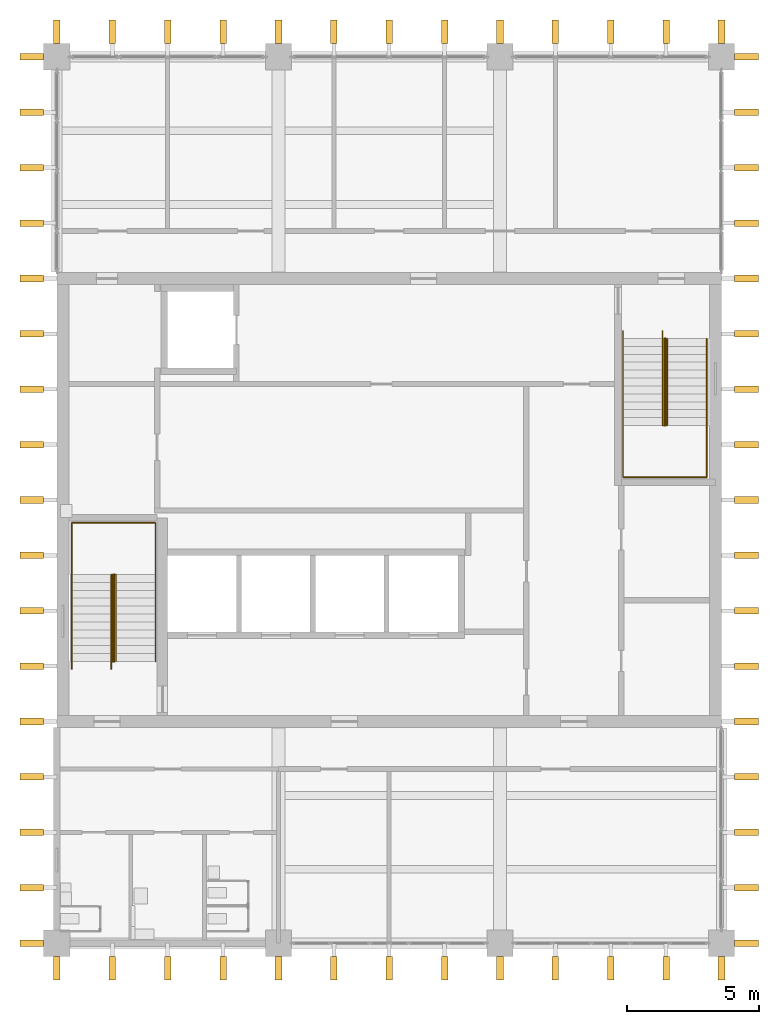
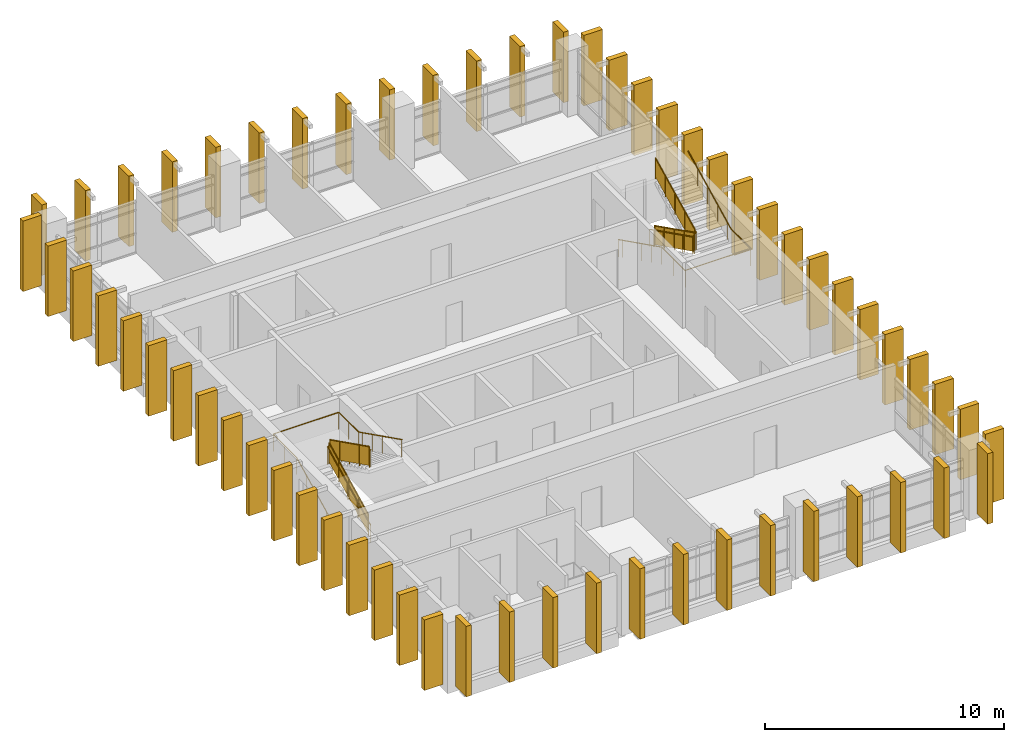
# One storey, part 10 of 11: 60 shading devices, 8 railings.
"""IFC4 building model written with IfcOpenShell, lengths in metres."""

from ifc_helpers import new_model, si_unit, direction, frame, origin, origin_2d, place, context, subcontext, project, spatial, polyline, rectangle, circle, outline, extrude, material, material_profile, profile_set, type_object, element, save


model = new_model("IFC4")

# Units and contexts
model_context = context("Model", 3, precision=1e-05, world=origin(), true_north=direction((0.0, 1.0)))
body_context = subcontext(model_context, "Body", "Model", "MODEL_VIEW")
ifc_project = project(units=[si_unit("LENGTHUNIT", "METRE"), si_unit("AREAUNIT", "SQUARE_METRE"), si_unit("VOLUMEUNIT", "CUBIC_METRE"), si_unit("PLANEANGLEUNIT", "RADIAN"), si_unit("MASSUNIT", "GRAM", prefix="KILO")], contexts=[model_context])

# Site, building, storey
site_placement = place(None, origin())
site = spatial("IfcSite", under=ifc_project, at=site_placement, CompositionType="ELEMENT")
building_placement = place(site_placement, origin())
building = spatial("IfcBuilding", under=site, at=building_placement, Name="Rulbaag Community and Learning Centre", CompositionType="ELEMENT")
storey_placement = place(building_placement, frame((0.0, 0.0, 18.0)))
storey = spatial("IfcBuildingStorey", under=building, at=storey_placement, Name="L04", CompositionType="ELEMENT", Elevation=18.0)

# Shading devices
ifc_material_1 = material(Name="Concrete M40", Category="concrete")
ifc_material_profile = material_profile(ifc_material_1, rectangle(XDim=0.25, YDim=0.89990234375, at=origin_2d()), Name="PC 250x900")
ifc_profile_set = profile_set([ifc_material_profile], Name="Concrete M40")
shading_device_type = type_object("IfcShadingDeviceType", Name="FIN-H", PredefinedType="JALOUSIE", material=ifc_profile_set)
for number, where, z_axis, x_axis, name in (
    (1, (142.800048828125, 83.050048828125, 0.0), (0.0, 0.0, 1.0), (1.0, 0.0, 0.0), "Precast fin"),
    (2, (144.89990234375, 83.050048828125, 0.0), (0.0, 0.0, 1.0), (1.0, 0.0, 0.0), "Precast fin"),
    (3, (147.0, 83.050048828125, 0.0), (0.0, 0.0, 1.0), (1.0, 0.0, 0.0), "Precast fin"),
    (4, (149.10009765625, 83.050048828125, 0.0), (0.0, 0.0, 1.0), (1.0, 0.0, 0.0), "Precast fin"),
    (5, (151.199951171875, 83.050048828125, 0.0), (0.0, 0.0, 1.0), (1.0, 0.0, 0.0), "Precast fin"),
    (6, (153.300048828125, 83.050048828125, 0.0), (0.0, 0.0, 1.0), (1.0, 0.0, 0.0), "Precast fin"),
    (7, (155.39990234375, 83.050048828125, 0.0), (0.0, 0.0, 1.0), (1.0, 0.0, 0.0), "Precast fin"),
    (8, (157.5, 83.050048828125, 0.0), (0.0, 0.0, 1.0), (1.0, 0.0, 0.0), "Precast fin"),
    (9, (159.60009765625, 83.050048828125, 0.0), (0.0, 0.0, 1.0), (1.0, 0.0, 0.0), "Precast fin"),
    (10, (161.699951171875, 83.050048828125, 0.0), (0.0, 0.0, 1.0), (1.0, 0.0, 0.0), "Precast fin"),
    (11, (163.800048828125, 83.050048828125, 0.0), (0.0, 0.0, 1.0), (1.0, 0.0, 0.0), "Precast fin"),
    (12, (165.89990234375, 83.050048828125, 0.0), (0.0, 0.0, 1.0), (1.0, 0.0, 0.0), "Precast fin"),
    (13, (168.0, 83.050048828125, 0.0), (0.0, 0.0, 1.0), (1.0, 0.0, 0.0), "Precast fin"),
    (14, (142.800048828125, 118.550048828125, 0.0), (0.0, 0.0, 1.0), (1.0, 0.0, 0.0), "Precast fin"),
    (15, (144.89990234375, 118.550048828125, 0.0), (0.0, 0.0, 1.0), (1.0, 0.0, 0.0), "Precast fin"),
    (16, (147.0, 118.550048828125, 0.0), (0.0, 0.0, 1.0), (1.0, 0.0, 0.0), "Precast fin"),
    (17, (149.10009765625, 118.550048828125, 0.0), (0.0, 0.0, 1.0), (1.0, 0.0, 0.0), "Precast fin"),
    (18, (151.199951171875, 118.550048828125, 0.0), (0.0, 0.0, 1.0), (1.0, 0.0, 0.0), "Precast fin"),
    (19, (153.300048828125, 118.550048828125, 0.0), (0.0, 0.0, 1.0), (1.0, 0.0, 0.0), "Precast fin"),
    (20, (155.39990234375, 118.550048828125, 0.0), (0.0, 0.0, 1.0), (1.0, 0.0, 0.0), "Precast fin"),
    (21, (157.5, 118.550048828125, 0.0), (0.0, 0.0, 1.0), (1.0, 0.0, 0.0), "Precast fin"),
    (22, (159.60009765625, 118.550048828125, 0.0), (0.0, 0.0, 1.0), (1.0, 0.0, 0.0), "Precast fin"),
    (23, (161.699951171875, 118.550048828125, 0.0), (0.0, 0.0, 1.0), (1.0, 0.0, 0.0), "Precast fin"),
    (24, (163.800048828125, 118.550048828125, 0.0), (0.0, 0.0, 1.0), (1.0, 0.0, 0.0), "Precast fin"),
    (25, (165.89990234375, 118.550048828125, 0.0), (0.0, 0.0, 1.0), (1.0, 0.0, 0.0), "Precast fin"),
    (26, (168.0, 118.550048828125, 0.0), (0.0, 0.0, 1.0), (1.0, 0.0, 0.0), "Precast fin"),
    (27, (141.85009765625, 84.0, 0.0), (0.0, 0.0, 1.0), (0.0, 1.0, 0.0), "Precast fin"),
    (28, (141.85009765625, 86.10009765625, 0.0), (0.0, 0.0, 1.0), (0.0, 1.0, 0.0), "Precast fin"),
    (29, (141.85009765625, 88.199951171875, 0.0), (0.0, 0.0, 1.0), (0.0, 1.0, 0.0), "Precast fin"),
    (30, (141.85009765625, 90.300048828125, 0.0), (0.0, 0.0, 1.0), (0.0, 1.0, 0.0), "Precast fin"),
    (31, (141.85009765625, 92.39990234375, 0.0), (0.0, 0.0, 1.0), (0.0, 1.0, 0.0), "Precast fin"),
    (32, (141.85009765625, 94.5, 0.0), (0.0, 0.0, 1.0), (0.0, 1.0, 0.0), "Precast fin"),
    (33, (141.85009765625, 96.60009765625, 0.0), (0.0, 0.0, 1.0), (0.0, 1.0, 0.0), "Precast fin"),
    (34, (141.85009765625, 98.699951171875, 0.0), (0.0, 0.0, 1.0), (0.0, 1.0, 0.0), "Precast fin"),
    (35, (141.85009765625, 100.800048828125, 0.0), (0.0, 0.0, 1.0), (0.0, 1.0, 0.0), "Precast fin"),
    (36, (141.85009765625, 102.89990234375, 0.0), (0.0, 0.0, 1.0), (0.0, 1.0, 0.0), "Precast fin"),
    (37, (141.85009765625, 105.0, 0.0), (0.0, 0.0, 1.0), (0.0, 1.0, 0.0), "Precast fin"),
    (38, (141.85009765625, 107.10009765625, 0.0), (0.0, 0.0, 1.0), (0.0, 1.0, 0.0), "Precast fin"),
    (39, (141.85009765625, 109.199951171875, 0.0), (0.0, 0.0, 1.0), (0.0, 1.0, 0.0), "Precast fin"),
    (40, (141.85009765625, 111.300048828125, 0.0), (0.0, 0.0, 1.0), (0.0, 1.0, 0.0), "Precast fin"),
    (41, (141.85009765625, 113.39990234375, 0.0), (0.0, 0.0, 1.0), (0.0, 1.0, 0.0), "Precast fin"),
    (42, (141.85009765625, 115.5, 0.0), (0.0, 0.0, 1.0), (0.0, 1.0, 0.0), "Precast fin"),
    (43, (141.85009765625, 117.60009765625, 0.0), (0.0, 0.0, 1.0), (0.0, 1.0, 0.0), "Precast fin"),
    (44, (168.949951171875, 84.0, 0.0), (0.0, 0.0, 1.0), (0.0, 1.0, 0.0), "Precast fin"),
    (45, (168.949951171875, 86.10009765625, 0.0), (0.0, 0.0, 1.0), (0.0, 1.0, 0.0), "Precast fin"),
    (46, (168.949951171875, 88.199951171875, 0.0), (0.0, 0.0, 1.0), (0.0, 1.0, 0.0), "Precast fin"),
    (47, (168.949951171875, 90.300048828125, 0.0), (0.0, 0.0, 1.0), (0.0, 1.0, 0.0), "Precast fin"),
    (48, (168.949951171875, 92.39990234375, 0.0), (0.0, 0.0, 1.0), (0.0, 1.0, 0.0), "Precast fin"),
    (49, (168.949951171875, 94.5, 0.0), (0.0, 0.0, 1.0), (0.0, 1.0, 0.0), "Precast fin"),
    (50, (168.949951171875, 96.60009765625, 0.0), (0.0, 0.0, 1.0), (0.0, 1.0, 0.0), "Precast fin"),
    (51, (168.949951171875, 98.699951171875, 0.0), (0.0, 0.0, 1.0), (0.0, 1.0, 0.0), "Precast fin"),
    (52, (168.949951171875, 100.800048828125, 0.0), (0.0, 0.0, 1.0), (0.0, 1.0, 0.0), "Precast fin"),
    (53, (168.949951171875, 102.89990234375, 0.0), (0.0, 0.0, 1.0), (0.0, 1.0, 0.0), "Precast fin"),
    (54, (168.949951171875, 105.0, 0.0), (0.0, 0.0, 1.0), (0.0, 1.0, 0.0), "Precast fin"),
    (55, (168.949951171875, 107.10009765625, 0.0), (0.0, 0.0, 1.0), (0.0, 1.0, 0.0), "Precast fin"),
    (56, (168.949951171875, 109.199951171875, 0.0), (0.0, 0.0, 1.0), (0.0, 1.0, 0.0), "Precast fin"),
    (57, (168.949951171875, 111.300048828125, 0.0), (0.0, 0.0, 1.0), (0.0, 1.0, 0.0), "Precast fin"),
    (58, (168.949951171875, 113.39990234375, 0.0), (0.0, 0.0, 1.0), (0.0, 1.0, 0.0), "Precast fin"),
    (59, (168.949951171875, 115.5, 0.0), (0.0, 0.0, 1.0), (0.0, 1.0, 0.0), "Precast fin"),
    (60, (168.949951171875, 117.60009765625, 0.0), (0.0, 0.0, 1.0), (0.0, 1.0, 0.0), "Precast fin"),
):
    element("IfcShadingDevice", number, at=place(storey_placement, frame(where, z_axis=z_axis, x_axis=x_axis)), inside=storey, type_object=shading_device_type, Name=name, PredefinedType="JALOUSIE", context=body_context, shape_type="SweptSolid", body=[
        extrude(rectangle(XDim=0.25, YDim=0.89990234375, at=origin_2d()), origin(), (0.0, 0.0, 1.0), 3.60009765625),
    ])

# Railings
ifc_material_2 = material(Name="Galvanised mild steel", Category="steel")
railing_type_1 = type_object("IfcRailingType", Name="GR-1100 GUARD 1100", PredefinedType="GUARDRAIL", material=ifc_material_2)
railing_1_placement = place(storey_placement, frame((144.929931640625, 94.675048828125, 0.14990234375)))
element("IfcRailing", 61, at=railing_1_placement, inside=storey, type_object=railing_type_1, Name="Guard ST1 L04 G", PredefinedType="GUARDRAIL", context=body_context, shape_type="SweptSolid", body=[
    extrude(circle(Radius=0.02490234375, at=origin_2d()), frame((0.0, 0.0, 1.0751953125), z_axis=(0.0, 0.894413956696, 0.447240063129), x_axis=(-1.0, 0.0, 0.0)), (0.0, 0.0, 1.0), 3.689697265625),
    extrude(circle(Radius=0.02001953125, at=origin_2d()), origin(), (0.0, 0.0, 1.0), 1.050048828125),
    extrude(circle(Radius=0.02001953125, at=origin_2d()), frame((0.0, 0.824951171875, 0.41259765625)), (0.0, 0.0, 1.0), 1.050048828125),
    extrude(circle(Radius=0.02001953125, at=origin_2d()), frame((0.0, 1.64990234375, 0.8251953125)), (0.0, 0.0, 1.0), 1.050048828125),
    extrude(circle(Radius=0.02001953125, at=origin_2d()), frame((0.0, 2.47509765625, 1.237548828125)), (0.0, 0.0, 1.0), 1.050048828125),
    extrude(circle(Radius=0.02001953125, at=origin_2d()), frame((0.0, 3.300048828125, 1.650146484375)), (0.0, 0.0, 1.0), 1.050048828125),
    extrude(outline(polyline([(0.0, 0.0), (3.300048828125, 1.650146484375), (3.300048828125, 2.60009765625), (0.0, 0.949951171875), (0.0, 0.0)])), frame((-0.0048828125, 0.0, 0.10009765625), z_axis=(1.0, 0.0, 0.0), x_axis=(0.0, 1.0, 0.0)), (0.0, 0.0, 1.0), 0.010009765625),
])
for number, where, name in (
    (62, (144.969970703125, 97.97509765625, 1.949951171875), "Guard ST1 L04 G2"),
    (63, (165.830078125, 106.925048828125, 0.14990234375), "Guard ST2 L04 G"),
):
    element("IfcRailing", number, at=place(storey_placement, frame(where)), inside=storey, type_object=railing_type_1, Name=name, PredefinedType="GUARDRAIL", context=body_context, shape_type="SweptSolid", body=[
        extrude(circle(Radius=0.02490234375, at=origin_2d()), frame((0.0, 0.0, 1.0751953125), z_axis=(0.0, -0.894413956696, 0.447240063129), x_axis=(1.0, 0.0, 0.0)), (0.0, 0.0, 1.0), 3.689697265625),
        extrude(circle(Radius=0.02001953125, at=origin_2d()), origin(), (0.0, 0.0, 1.0), 1.050048828125),
        extrude(circle(Radius=0.02001953125, at=origin_2d()), frame((0.0, -0.824951171875, 0.41259765625)), (0.0, 0.0, 1.0), 1.050048828125),
        extrude(circle(Radius=0.02001953125, at=origin_2d()), frame((0.0, -1.64990234375, 0.8251953125)), (0.0, 0.0, 1.0), 1.050048828125),
        extrude(circle(Radius=0.02001953125, at=origin_2d()), frame((0.0, -2.47509765625, 1.237548828125)), (0.0, 0.0, 1.0), 1.050048828125),
        extrude(circle(Radius=0.02001953125, at=origin_2d()), frame((0.0, -3.300048828125, 1.650146484375)), (0.0, 0.0, 1.0), 1.050048828125),
        extrude(outline(polyline([(0.0, 0.0), (3.300048828125, 1.650146484375), (3.300048828125, 2.60009765625), (0.0, 0.949951171875), (0.0, 0.0)])), frame((0.0048828125, 0.0, 0.10009765625), z_axis=(-1.0, 0.0, 0.0), x_axis=(0.0, -1.0, 0.0)), (0.0, 0.0, 1.0), 0.010009765625),
    ])
railing_2_placement = place(storey_placement, frame((165.8701171875, 103.625, 1.949951171875)))
element("IfcRailing", 64, at=railing_2_placement, inside=storey, type_object=railing_type_1, Name="Guard ST2 L04 G2", PredefinedType="GUARDRAIL", context=body_context, shape_type="SweptSolid", body=[
    extrude(circle(Radius=0.02490234375, at=origin_2d()), frame((0.0, 0.0, 1.0751953125), z_axis=(0.0, 0.894413956696, 0.447240063129), x_axis=(-1.0, 0.0, 0.0)), (0.0, 0.0, 1.0), 3.689697265625),
    extrude(circle(Radius=0.02001953125, at=origin_2d()), origin(), (0.0, 0.0, 1.0), 1.050048828125),
    extrude(circle(Radius=0.02001953125, at=origin_2d()), frame((0.0, 0.824951171875, 0.41259765625)), (0.0, 0.0, 1.0), 1.050048828125),
    extrude(circle(Radius=0.02001953125, at=origin_2d()), frame((0.0, 1.64990234375, 0.8251953125)), (0.0, 0.0, 1.0), 1.050048828125),
    extrude(circle(Radius=0.02001953125, at=origin_2d()), frame((0.0, 2.47509765625, 1.237548828125)), (0.0, 0.0, 1.0), 1.050048828125),
    extrude(circle(Radius=0.02001953125, at=origin_2d()), frame((0.0, 3.300048828125, 1.650146484375)), (0.0, 0.0, 1.0), 1.050048828125),
    extrude(outline(polyline([(0.0, 0.0), (3.300048828125, 1.650146484375), (3.300048828125, 2.60009765625), (0.0, 0.949951171875), (0.0, 0.0)])), frame((-0.0048828125, 0.0, 0.10009765625), z_axis=(1.0, 0.0, 0.0), x_axis=(0.0, 1.0, 0.0)), (0.0, 0.0, 1.0), 0.010009765625),
])
ifc_material_3 = material(Name="Stainless steel grade 316", Category="steel")
railing_type_2 = type_object("IfcRailingType", Name="HR-900 HANDRAIL 900", PredefinedType="HANDRAIL", material=ifc_material_3)
railing_3_placement = place(storey_placement, frame((143.360107421875, 94.375, 0.0)))
element("IfcRailing", 65, at=railing_3_placement, inside=storey, type_object=railing_type_2, Name="Handrail ST1 L04 O", PredefinedType="HANDRAIL", context=body_context, shape_type="SweptSolid", body=[
    extrude(circle(Radius=0.024169921875, at=origin_2d()), frame((0.0, 0.0, 0.875732421875), z_axis=(0.0, 0.894572720946, 0.446922417137), x_axis=(-1.0, 0.0, 0.0)), (0.0, 0.0, 1.0), 0.33544921875),
    extrude(circle(Radius=0.024169921875, at=origin_2d()), frame((0.0, 0.300048828125, 1.025634765625), z_axis=(0.0, 0.894413956696, 0.447240063129), x_axis=(-1.0, 0.0, 0.0)), (0.0, 0.0, 1.0), 3.689697265625),
    extrude(circle(Radius=0.024169921875, at=origin_2d()), frame((0.0, 3.60009765625, 2.67578125), z_axis=(0.0, 1.0, 0.0), x_axis=(-1.0, 0.0, 0.0)), (0.0, 0.0, 1.0), 1.96484375),
    extrude(circle(Radius=0.024169921875, at=origin_2d()), frame((0.0, 5.56494140625, 2.67578125), z_axis=(1.0, 0.0, 0.0), x_axis=(0.0, 1.0, 0.0)), (0.0, 0.0, 1.0), 3.179931640625),
    extrude(circle(Radius=0.024169921875, at=origin_2d()), frame((3.179931640625, 5.56494140625, 2.67578125), z_axis=(0.0, -1.0, 0.0), x_axis=(1.0, 0.0, 0.0)), (0.0, 0.0, 1.0), 1.6650390625),
    extrude(circle(Radius=0.024169921875, at=origin_2d()), frame((3.179931640625, 3.89990234375, 2.67578125), z_axis=(0.0, -0.894427191, 0.4472135955), x_axis=(1.0, 0.0, 0.0)), (0.0, 0.0, 1.0), 0.335205078125),
    extrude(circle(Radius=0.024169921875, at=origin_2d()), frame((3.179931640625, 3.60009765625, 2.82568359375), z_axis=(0.0, -0.894413956696, 0.447240063129), x_axis=(1.0, 0.0, 0.0)), (0.0, 0.0, 1.0), 3.689697265625),
    extrude(circle(Radius=0.008056640625, at=origin_2d()), origin(), (0.0, 0.0, 1.0), 0.8515625),
    extrude(circle(Radius=0.008056640625, at=origin_2d()), frame((0.0, 0.300048828125, 0.14990234375)), (0.0, 0.0, 1.0), 0.8515625),
    extrude(circle(Radius=0.008056640625, at=origin_2d()), frame((0.0, 1.125, 0.5625)), (0.0, 0.0, 1.0), 0.8515625),
    extrude(circle(Radius=0.008056640625, at=origin_2d()), frame((0.0, 1.9501953125, 0.97509765625)), (0.0, 0.0, 1.0), 0.8515625),
    extrude(circle(Radius=0.008056640625, at=origin_2d()), frame((0.0, 2.775146484375, 1.387451171875)), (0.0, 0.0, 1.0), 0.8515625),
    extrude(circle(Radius=0.008056640625, at=origin_2d()), frame((0.0, 3.60009765625, 1.800048828125)), (0.0, 0.0, 1.0), 0.8515625),
    extrude(circle(Radius=0.008056640625, at=origin_2d()), frame((0.0, 4.58251953125, 1.800048828125)), (0.0, 0.0, 1.0), 0.8515625),
    extrude(circle(Radius=0.008056640625, at=origin_2d()), frame((0.0, 5.56494140625, 1.800048828125)), (0.0, 0.0, 1.0), 0.8515625),
    extrude(circle(Radius=0.008056640625, at=origin_2d()), frame((1.06005859375, 5.56494140625, 1.800048828125)), (0.0, 0.0, 1.0), 0.8515625),
    extrude(circle(Radius=0.008056640625, at=origin_2d()), frame((2.119873046875, 5.56494140625, 1.800048828125)), (0.0, 0.0, 1.0), 0.8515625),
    extrude(circle(Radius=0.008056640625, at=origin_2d()), frame((3.179931640625, 5.56494140625, 1.800048828125)), (0.0, 0.0, 1.0), 0.8515625),
    extrude(circle(Radius=0.008056640625, at=origin_2d()), frame((3.179931640625, 4.732421875, 1.800048828125)), (0.0, 0.0, 1.0), 0.8515625),
    extrude(circle(Radius=0.008056640625, at=origin_2d()), frame((3.179931640625, 3.89990234375, 1.800048828125)), (0.0, 0.0, 1.0), 0.8515625),
    extrude(circle(Radius=0.008056640625, at=origin_2d()), frame((3.179931640625, 3.60009765625, 1.949951171875)), (0.0, 0.0, 1.0), 0.8515625),
    extrude(circle(Radius=0.008056640625, at=origin_2d()), frame((3.179931640625, 2.775146484375, 2.362548828125)), (0.0, 0.0, 1.0), 0.8515625),
    extrude(circle(Radius=0.008056640625, at=origin_2d()), frame((3.179931640625, 1.9501953125, 2.77490234375)), (0.0, 0.0, 1.0), 0.8515625),
    extrude(circle(Radius=0.008056640625, at=origin_2d()), frame((3.179931640625, 1.125, 3.1875)), (0.0, 0.0, 1.0), 0.8515625),
    extrude(circle(Radius=0.008056640625, at=origin_2d()), frame((3.179931640625, 0.300048828125, 3.60009765625)), (0.0, 0.0, 1.0), 0.8515625),
])
railing_4_placement = place(storey_placement, frame((144.860107421875, 94.375, 0.0)))
element("IfcRailing", 66, at=railing_4_placement, inside=storey, type_object=railing_type_2, Name="Handrail ST1 L04 I", PredefinedType="HANDRAIL", context=body_context, shape_type="SweptSolid", body=[
    extrude(circle(Radius=0.024169921875, at=origin_2d()), frame((0.0, 0.0, 0.875732421875), z_axis=(0.0, 0.894572720946, 0.446922417137), x_axis=(-1.0, 0.0, 0.0)), (0.0, 0.0, 1.0), 0.33544921875),
    extrude(circle(Radius=0.024169921875, at=origin_2d()), frame((0.0, 0.300048828125, 1.025634765625), z_axis=(0.0, 0.894413956696, 0.447240063129), x_axis=(-1.0, 0.0, 0.0)), (0.0, 0.0, 1.0), 3.689697265625),
    extrude(circle(Radius=0.024169921875, at=origin_2d()), frame((0.0, 3.60009765625, 2.67578125), z_axis=(0.768306721819, 0.0, 0.640081855084), x_axis=(0.0, 1.0, 0.0)), (0.0, 0.0, 1.0), 0.234130859375),
    extrude(circle(Radius=0.024169921875, at=origin_2d()), frame((0.179931640625, 3.60009765625, 2.82568359375), z_axis=(0.0, -0.894413956696, 0.447240063129), x_axis=(1.0, 0.0, 0.0)), (0.0, 0.0, 1.0), 3.689697265625),
    extrude(circle(Radius=0.008056640625, at=origin_2d()), origin(), (0.0, 0.0, 1.0), 0.8515625),
    extrude(circle(Radius=0.008056640625, at=origin_2d()), frame((0.0, 0.300048828125, 0.14990234375)), (0.0, 0.0, 1.0), 0.8515625),
    extrude(circle(Radius=0.008056640625, at=origin_2d()), frame((0.0, 1.125, 0.5625)), (0.0, 0.0, 1.0), 0.8515625),
    extrude(circle(Radius=0.008056640625, at=origin_2d()), frame((0.0, 1.9501953125, 0.97509765625)), (0.0, 0.0, 1.0), 0.8515625),
    extrude(circle(Radius=0.008056640625, at=origin_2d()), frame((0.0, 2.775146484375, 1.387451171875)), (0.0, 0.0, 1.0), 0.8515625),
    extrude(circle(Radius=0.008056640625, at=origin_2d()), frame((0.0, 3.60009765625, 1.800048828125)), (0.0, 0.0, 1.0), 0.8515625),
    extrude(circle(Radius=0.008056640625, at=origin_2d()), frame((0.179931640625, 3.60009765625, 1.949951171875)), (0.0, 0.0, 1.0), 0.8515625),
    extrude(circle(Radius=0.008056640625, at=origin_2d()), frame((0.179931640625, 2.775146484375, 2.362548828125)), (0.0, 0.0, 1.0), 0.8515625),
    extrude(circle(Radius=0.008056640625, at=origin_2d()), frame((0.179931640625, 1.9501953125, 2.77490234375)), (0.0, 0.0, 1.0), 0.8515625),
    extrude(circle(Radius=0.008056640625, at=origin_2d()), frame((0.179931640625, 1.125, 3.1875)), (0.0, 0.0, 1.0), 0.8515625),
    extrude(circle(Radius=0.008056640625, at=origin_2d()), frame((0.179931640625, 0.300048828125, 3.60009765625)), (0.0, 0.0, 1.0), 0.8515625),
])
railing_5_placement = place(storey_placement, frame((164.260009765625, 107.22509765625, 0.0)))
element("IfcRailing", 67, at=railing_5_placement, inside=storey, type_object=railing_type_2, Name="Handrail ST2 L04 O", PredefinedType="HANDRAIL", context=body_context, shape_type="SweptSolid", body=[
    extrude(circle(Radius=0.024169921875, at=origin_2d()), frame((0.0, 0.0, 0.875732421875), z_axis=(0.0, -0.894572720946, 0.446922417137), x_axis=(1.0, 0.0, 0.0)), (0.0, 0.0, 1.0), 0.33544921875),
    extrude(circle(Radius=0.024169921875, at=origin_2d()), frame((0.0, -0.300048828125, 1.025634765625), z_axis=(0.0, -0.894413956696, 0.447240063129), x_axis=(1.0, 0.0, 0.0)), (0.0, 0.0, 1.0), 3.689697265625),
    extrude(circle(Radius=0.024169921875, at=origin_2d()), frame((0.0, -3.60009765625, 2.67578125), z_axis=(0.0, -1.0, 0.0), x_axis=(1.0, 0.0, 0.0)), (0.0, 0.0, 1.0), 1.965087890625),
    extrude(circle(Radius=0.024169921875, at=origin_2d()), frame((0.0, -5.565185546875, 2.67578125), z_axis=(1.0, 0.0, 0.0), x_axis=(0.0, 1.0, 0.0)), (0.0, 0.0, 1.0), 3.179931640625),
    extrude(circle(Radius=0.024169921875, at=origin_2d()), frame((3.179931640625, -5.565185546875, 2.67578125), z_axis=(0.0, 1.0, 0.0), x_axis=(-1.0, 0.0, 0.0)), (0.0, 0.0, 1.0), 1.6650390625),
    extrude(circle(Radius=0.024169921875, at=origin_2d()), frame((3.179931640625, -3.900146484375, 2.67578125), z_axis=(0.0, 0.894572720946, 0.446922417137), x_axis=(-1.0, 0.0, 0.0)), (0.0, 0.0, 1.0), 0.33544921875),
    extrude(circle(Radius=0.024169921875, at=origin_2d()), frame((3.179931640625, -3.60009765625, 2.82568359375), z_axis=(0.0, 0.894413956696, 0.447240063129), x_axis=(-1.0, 0.0, 0.0)), (0.0, 0.0, 1.0), 3.689697265625),
    extrude(circle(Radius=0.008056640625, at=origin_2d()), origin(), (0.0, 0.0, 1.0), 0.8515625),
    extrude(circle(Radius=0.008056640625, at=origin_2d()), frame((0.0, -0.300048828125, 0.14990234375)), (0.0, 0.0, 1.0), 0.8515625),
    extrude(circle(Radius=0.008056640625, at=origin_2d()), frame((0.0, -1.125, 0.5625)), (0.0, 0.0, 1.0), 0.8515625),
    extrude(circle(Radius=0.008056640625, at=origin_2d()), frame((0.0, -1.9501953125, 0.97509765625)), (0.0, 0.0, 1.0), 0.8515625),
    extrude(circle(Radius=0.008056640625, at=origin_2d()), frame((0.0, -2.775146484375, 1.387451171875)), (0.0, 0.0, 1.0), 0.8515625),
    extrude(circle(Radius=0.008056640625, at=origin_2d()), frame((0.0, -3.60009765625, 1.800048828125)), (0.0, 0.0, 1.0), 0.8515625),
    extrude(circle(Radius=0.008056640625, at=origin_2d()), frame((0.0, -4.58251953125, 1.800048828125)), (0.0, 0.0, 1.0), 0.8515625),
    extrude(circle(Radius=0.008056640625, at=origin_2d()), frame((0.0, -5.565185546875, 1.800048828125)), (0.0, 0.0, 1.0), 0.8515625),
    extrude(circle(Radius=0.008056640625, at=origin_2d()), frame((1.06005859375, -5.565185546875, 1.800048828125)), (0.0, 0.0, 1.0), 0.8515625),
    extrude(circle(Radius=0.008056640625, at=origin_2d()), frame((2.119873046875, -5.565185546875, 1.800048828125)), (0.0, 0.0, 1.0), 0.8515625),
    extrude(circle(Radius=0.008056640625, at=origin_2d()), frame((3.179931640625, -5.565185546875, 1.800048828125)), (0.0, 0.0, 1.0), 0.8515625),
    extrude(circle(Radius=0.008056640625, at=origin_2d()), frame((3.179931640625, -4.732666015625, 1.800048828125)), (0.0, 0.0, 1.0), 0.8515625),
    extrude(circle(Radius=0.008056640625, at=origin_2d()), frame((3.179931640625, -3.900146484375, 1.800048828125)), (0.0, 0.0, 1.0), 0.8515625),
    extrude(circle(Radius=0.008056640625, at=origin_2d()), frame((3.179931640625, -3.60009765625, 1.949951171875)), (0.0, 0.0, 1.0), 0.8515625),
    extrude(circle(Radius=0.008056640625, at=origin_2d()), frame((3.179931640625, -2.775146484375, 2.362548828125)), (0.0, 0.0, 1.0), 0.8515625),
    extrude(circle(Radius=0.008056640625, at=origin_2d()), frame((3.179931640625, -1.9501953125, 2.77490234375)), (0.0, 0.0, 1.0), 0.8515625),
    extrude(circle(Radius=0.008056640625, at=origin_2d()), frame((3.179931640625, -1.125, 3.1875)), (0.0, 0.0, 1.0), 0.8515625),
    extrude(circle(Radius=0.008056640625, at=origin_2d()), frame((3.179931640625, -0.300048828125, 3.60009765625)), (0.0, 0.0, 1.0), 0.8515625),
])
railing_6_placement = place(storey_placement, frame((165.760009765625, 107.22509765625, 0.0)))
element("IfcRailing", 68, at=railing_6_placement, inside=storey, type_object=railing_type_2, Name="Handrail ST2 L04 I", PredefinedType="HANDRAIL", context=body_context, shape_type="SweptSolid", body=[
    extrude(circle(Radius=0.024169921875, at=origin_2d()), frame((0.0, 0.0, 0.875732421875), z_axis=(0.0, -0.894572720946, 0.446922417137), x_axis=(1.0, 0.0, 0.0)), (0.0, 0.0, 1.0), 0.33544921875),
    extrude(circle(Radius=0.024169921875, at=origin_2d()), frame((0.0, -0.300048828125, 1.025634765625), z_axis=(0.0, -0.894413956696, 0.447240063129), x_axis=(1.0, 0.0, 0.0)), (0.0, 0.0, 1.0), 3.689697265625),
    extrude(circle(Radius=0.024169921875, at=origin_2d()), frame((0.0, -3.60009765625, 2.67578125), z_axis=(0.768306721819, 0.0, 0.640081855084), x_axis=(0.0, 1.0, 0.0)), (0.0, 0.0, 1.0), 0.234130859375),
    extrude(circle(Radius=0.024169921875, at=origin_2d()), frame((0.179931640625, -3.60009765625, 2.82568359375), z_axis=(0.0, 0.894413956696, 0.447240063129), x_axis=(-1.0, 0.0, 0.0)), (0.0, 0.0, 1.0), 3.689697265625),
    extrude(circle(Radius=0.008056640625, at=origin_2d()), origin(), (0.0, 0.0, 1.0), 0.8515625),
    extrude(circle(Radius=0.008056640625, at=origin_2d()), frame((0.0, -0.300048828125, 0.14990234375)), (0.0, 0.0, 1.0), 0.8515625),
    extrude(circle(Radius=0.008056640625, at=origin_2d()), frame((0.0, -1.125, 0.5625)), (0.0, 0.0, 1.0), 0.8515625),
    extrude(circle(Radius=0.008056640625, at=origin_2d()), frame((0.0, -1.9501953125, 0.97509765625)), (0.0, 0.0, 1.0), 0.8515625),
    extrude(circle(Radius=0.008056640625, at=origin_2d()), frame((0.0, -2.775146484375, 1.387451171875)), (0.0, 0.0, 1.0), 0.8515625),
    extrude(circle(Radius=0.008056640625, at=origin_2d()), frame((0.0, -3.60009765625, 1.800048828125)), (0.0, 0.0, 1.0), 0.8515625),
    extrude(circle(Radius=0.008056640625, at=origin_2d()), frame((0.179931640625, -3.60009765625, 1.949951171875)), (0.0, 0.0, 1.0), 0.8515625),
    extrude(circle(Radius=0.008056640625, at=origin_2d()), frame((0.179931640625, -2.775146484375, 2.362548828125)), (0.0, 0.0, 1.0), 0.8515625),
    extrude(circle(Radius=0.008056640625, at=origin_2d()), frame((0.179931640625, -1.9501953125, 2.77490234375)), (0.0, 0.0, 1.0), 0.8515625),
    extrude(circle(Radius=0.008056640625, at=origin_2d()), frame((0.179931640625, -1.125, 3.1875)), (0.0, 0.0, 1.0), 0.8515625),
    extrude(circle(Radius=0.008056640625, at=origin_2d()), frame((0.179931640625, -0.300048828125, 3.60009765625)), (0.0, 0.0, 1.0), 0.8515625),
])

save(model, "model.ifc")
